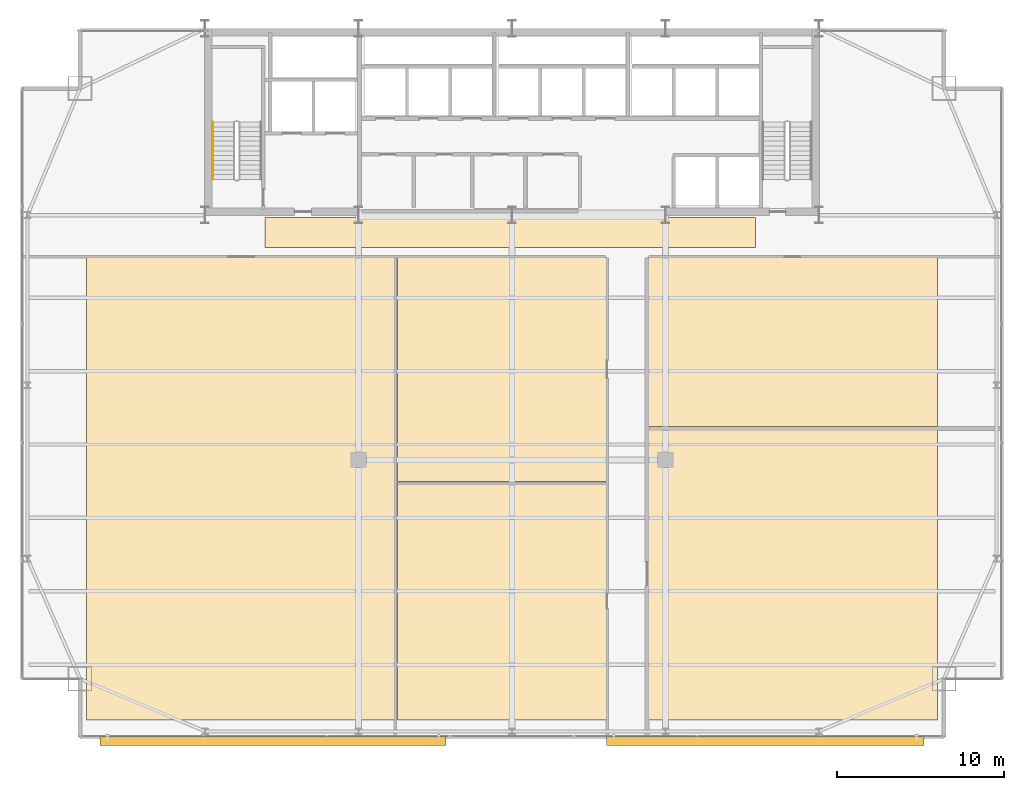
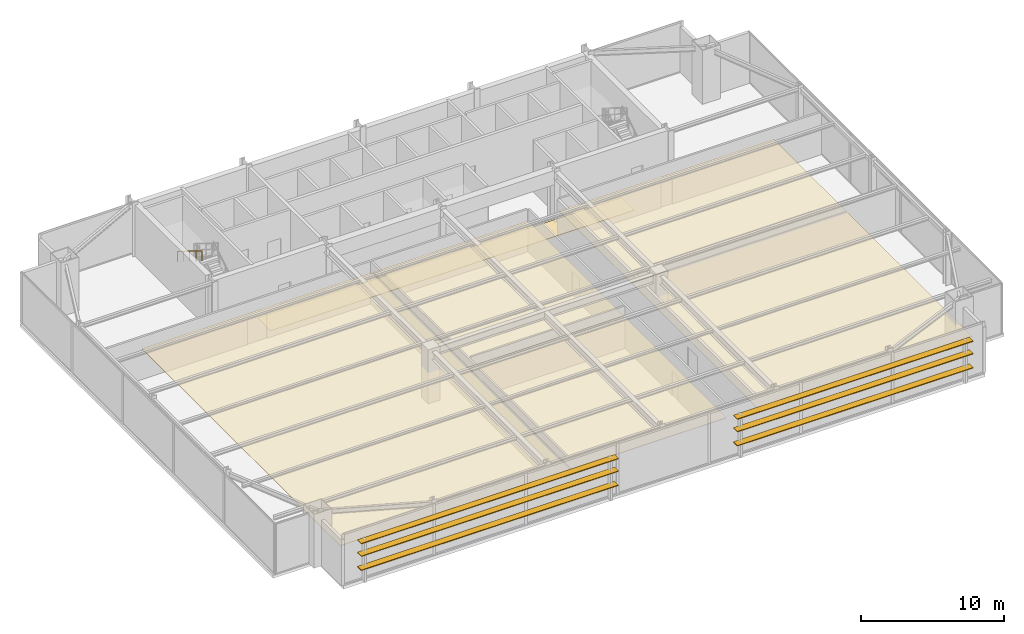
# One storey, part 31 of 32: 6 coverings, 6 shading devices, 1 railing.
"""IFC4 building model written with IfcOpenShell, lengths in metres."""

from ifc_helpers import new_model, si_unit, direction, frame, origin, origin_2d, place, context, subcontext, project, spatial, polyline, rectangle, outline, extrude, source, transform, mapped, material, layer, layer_set, type_object, type_shapes, element, save


model = new_model("IFC4")

# Units and contexts
model_context = context("Model", 3, precision=1e-05, world=origin(), true_north=direction((0.0, 1.0)))
body_context = subcontext(model_context, "Body", "Model", "MODEL_VIEW")
ifc_project = project(units=[si_unit("LENGTHUNIT", "METRE"), si_unit("AREAUNIT", "SQUARE_METRE"), si_unit("VOLUMEUNIT", "CUBIC_METRE"), si_unit("PLANEANGLEUNIT", "RADIAN"), si_unit("MASSUNIT", "GRAM", prefix="KILO")], contexts=[model_context])

# Site, building, storey
site_placement = place(None, origin())
site = spatial("IfcSite", under=ifc_project, at=site_placement, CompositionType="ELEMENT")
building_placement = place(site_placement, origin())
building = spatial("IfcBuilding", under=site, at=building_placement, Name="Varnel Quay Broadcast Tower", CompositionType="ELEMENT")
storey_placement = place(building_placement, frame((0.0, 0.0, 98.39990234375)))
storey = spatial("IfcBuildingStorey", under=building, at=storey_placement, Name="L23", CompositionType="ELEMENT", Elevation=98.39990234375)

# Coverings
ifc_material_1 = material(Name="Micro-Perforated Acoustic Ceiling Tile")
ifc_layer_1 = layer(ifc_material_1, 0.0400390625, Name="Micro-Perforated Acoustic Ceiling Tile")
ifc_layer_set_1 = layer_set([ifc_layer_1], Name="Micro-Perforated Acoustic Ceiling Tile")
covering_type_1 = type_object("IfcCoveringType", Name="Cov_AcousticCeiling", PredefinedType="CEILING", material=ifc_layer_set_1)
covering_1_placement = place(storey_placement, frame((0.0, 0.0, 2.580078125)))
element("IfcCovering", 1, at=covering_1_placement, inside=storey, type_object=covering_type_1, Name="L23 Low-to-Mid Sky Transfer Concourse Acoustic Ceiling", PredefinedType="CEILING", context=body_context, shape_type="SweptSolid", body=[
    extrude(outline(polyline([(8.485107421875, 5.324951171875), (27.06494140625, 5.324951171875), (27.06494140625, 33.06494140625), (8.485107421875, 33.06494140625), (8.485107421875, 5.324951171875)])), origin(), (0.0, 0.0, 1.0), 0.0400390625),
])
covering_2_placement = place(storey_placement, frame((0.0, 0.0, 2.580078125)))
element("IfcCovering", 2, at=covering_2_placement, inside=storey, type_object=covering_type_1, Name="L23 Editorial Espresso & Dining Bar Acoustic Ceiling", PredefinedType="CEILING", context=body_context, shape_type="SweptSolid", body=[
    extrude(outline(polyline([(27.135009765625, 5.324951171875), (39.6650390625, 5.324951171875), (39.6650390625, 19.56494140625), (27.135009765625, 19.56494140625), (27.135009765625, 5.324951171875)])), origin(), (0.0, 0.0, 1.0), 0.0400390625),
])
covering_3_placement = place(storey_placement, frame((0.0, 0.0, 2.580078125)))
element("IfcCovering", 3, at=covering_3_placement, inside=storey, type_object=covering_type_1, Name="L23 Broadcast Pitch & Seminar Room Acoustic Ceiling", PredefinedType="CEILING", context=body_context, shape_type="SweptSolid", body=[
    extrude(outline(polyline([(27.135009765625, 19.635009765625), (39.6650390625, 19.635009765625), (39.6650390625, 33.06494140625), (27.135009765625, 33.06494140625), (27.135009765625, 19.635009765625)])), origin(), (0.0, 0.0, 1.0), 0.0400390625),
])
covering_4_placement = place(storey_placement, frame((0.0, 0.0, 2.580078125)))
element("IfcCovering", 4, at=covering_4_placement, inside=storey, type_object=covering_type_1, Name="L23 Media Town-Hall Commons Acoustic Ceiling", PredefinedType="CEILING", context=body_context, shape_type="SweptSolid", body=[
    extrude(outline(polyline([(42.135009765625, 5.324951171875), (59.514892578125, 5.324951171875), (59.514892578125, 22.864990234375), (42.135009765625, 22.864990234375), (42.135009765625, 5.324951171875)])), origin(), (0.0, 0.0, 1.0), 0.0400390625),
])
covering_5_placement = place(storey_placement, frame((0.0, 0.0, 2.580078125)))
element("IfcCovering", 5, at=covering_5_placement, inside=storey, type_object=covering_type_1, Name="L23 Visitor Press Desk Acoustic Ceiling", PredefinedType="CEILING", context=body_context, shape_type="SweptSolid", body=[
    extrude(outline(polyline([(42.135009765625, 22.93505859375), (59.514892578125, 22.93505859375), (59.514892578125, 33.06494140625), (42.135009765625, 33.06494140625), (42.135009765625, 22.93505859375)])), origin(), (0.0, 0.0, 1.0), 0.0400390625),
])
ifc_material_2 = material(Name="Polished Terrazzo & Broadcast Raised Flooring")
ifc_layer_2 = layer(ifc_material_2, 0.0400390625, Name="Polished Terrazzo & Broadcast Raised Flooring")
ifc_layer_set_2 = layer_set([ifc_layer_2], Name="Polished Terrazzo & Broadcast Raised Flooring")
covering_type_2 = type_object("IfcCoveringType", Name="Cov_TerrazzoFloor", PredefinedType="FLOORING", material=ifc_layer_set_2)
covering_6_placement = place(storey_placement, origin())
element("IfcCovering", 6, at=covering_6_placement, inside=storey, type_object=covering_type_2, Name="L23 Corridor Terrazzo Flooring", PredefinedType="FLOORING", context=body_context, shape_type="SweptSolid", body=[
    extrude(outline(polyline([(19.199951171875, 33.64990234375), (48.60009765625, 33.64990234375), (48.60009765625, 35.449951171875), (19.199951171875, 35.449951171875), (19.199951171875, 33.64990234375)])), origin(), (0.0, 0.0, 1.0), 0.0400390625),
])

# Railing
ifc_material_3 = material(Name="Painted Steel Guard and Handrail CSA G40.21 350W", Category="steel")
railing_type = type_object("IfcRailingType", Name="Rail_StairHandrail900", PredefinedType="HANDRAIL", material=ifc_material_3)
railing_placement = place(storey_placement, frame((16.050048828125, 41.169921875, 2.47705078125)))
element("IfcRailing", 7, at=railing_placement, inside=storey, type_object=railing_type, Name="L23 ST-01 stair handrail 2", PredefinedType="HANDRAIL", context=body_context, shape_type="SweptSolid", body=[
    extrude(rectangle(XDim=0.048095703125, YDim=0.048095703125, at=origin_2d()), frame((0.0, 0.0, 0.8759765625), z_axis=(0.0, -0.849602680019, 0.527423251388), x_axis=(1.0, 0.0, 0.0)), (0.0, 0.0, 1.0), 4.025390625),
    extrude(rectangle(XDim=0.0419921875, YDim=0.0419921875, at=origin_2d()), origin(), (0.0, 0.0, 1.0), 0.851806640625),
    extrude(rectangle(XDim=0.0419921875, YDim=0.0419921875, at=origin_2d()), frame((0.0, -0.85498046875, 0.53076171875)), (0.0, 0.0, 1.0), 0.851806640625),
    extrude(rectangle(XDim=0.0419921875, YDim=0.0419921875, at=origin_2d()), frame((0.0, -1.7099609375, 1.0615234375)), (0.0, 0.0, 1.0), 0.851806640625),
    extrude(rectangle(XDim=0.0419921875, YDim=0.0419921875, at=origin_2d()), frame((0.0, -2.56494140625, 1.59228515625)), (0.0, 0.0, 1.0), 0.851806640625),
    extrude(rectangle(XDim=0.0419921875, YDim=0.0419921875, at=origin_2d()), frame((0.0, -3.419921875, 2.123046875)), (0.0, 0.0, 1.0), 0.851806640625),
])

# Shading devices
ifc_material_4 = material(Name="Bronze-Terracotta Extruded Ceramic Blade", Category="masonry")
ifc_layer_3 = layer(ifc_material_4, 0.06494140625, Name="Bronze-Terracotta Extruded Ceramic Blade")
ifc_layer_set_3 = layer_set([ifc_layer_3], Name="Bronze-Terracotta Extruded Ceramic Blade")
shading_device_type = type_object("IfcShadingDeviceType", Name="Shade_LouvreBlade550", PredefinedType="JALOUSIE", material=ifc_layer_set_3)
shared_shape_1 = source(origin(), body_context, "Body", "SweptSolid", [
    extrude(rectangle(XDim=20.756103515625, YDim=0.550048828125, at=origin_2d()), origin(), (0.0, 0.0, 1.0), 0.06494140625),
])
for number, where, z_axis, x_axis, name in (
    (8, (19.677978515625, 4.06005859375, 1.11767578125), (0.0, 0.0, 1.0), (1.0, 0.0, 0.0), "L23 Lobe 1 Horizontal Louvre Blade 1"),
    (9, (19.677978515625, 4.06005859375, 2.317626953125), (0.0, 0.0, 1.0), (1.0, 0.0, 0.0), "L23 Lobe 1 Horizontal Louvre Blade 2"),
    (10, (19.677978515625, 4.06005859375, 3.3876953125), (0.0, 0.0, 1.0), (1.0, 0.0, 0.0), "L23 Lobe 1 Horizontal Louvre Blade 3"),
):
    element("IfcShadingDevice", number, at=place(storey_placement, frame(where, z_axis=z_axis, x_axis=x_axis)), inside=storey, type_object=shading_device_type, Name=name, PredefinedType="JALOUSIE", context=body_context, shape_type="MappedRepresentation", body=[
        mapped(shared_shape_1, transform((0.0, 0.0, 0.0), x_axis=(1.0, 0.0, 0.0), y_axis=(0.0, 1.0, 0.0), z_axis=(0.0, 0.0, 1.0), scale=1.0)),
    ])
shared_shape_2 = source(origin(), body_context, "Body", "SweptSolid", [
    extrude(rectangle(XDim=19.0439453125, YDim=0.550048828125, at=origin_2d()), origin(), (0.0, 0.0, 1.0), 0.06494140625),
])
type_shapes(shading_device_type, [shared_shape_1, shared_shape_2])
for number, where, z_axis, x_axis, name in (
    (11, (49.177978515625, 4.06005859375, 1.11767578125), (0.0, 0.0, 1.0), (1.0, 0.0, 0.0), "L23 Lobe 2 Horizontal Louvre Blade 1"),
    (12, (49.177978515625, 4.06005859375, 2.317626953125), (0.0, 0.0, 1.0), (1.0, 0.0, 0.0), "L23 Lobe 2 Horizontal Louvre Blade 2"),
    (13, (49.177978515625, 4.06005859375, 3.3876953125), (0.0, 0.0, 1.0), (1.0, 0.0, 0.0), "L23 Lobe 2 Horizontal Louvre Blade 3"),
):
    element("IfcShadingDevice", number, at=place(storey_placement, frame(where, z_axis=z_axis, x_axis=x_axis)), inside=storey, type_object=shading_device_type, Name=name, PredefinedType="JALOUSIE", context=body_context, shape_type="MappedRepresentation", body=[
        mapped(shared_shape_2, transform((0.0, 0.0, 0.0), x_axis=(1.0, 0.0, 0.0), y_axis=(0.0, 1.0, 0.0), z_axis=(0.0, 0.0, 1.0), scale=1.0)),
    ])

save(model, "model.ifc")
